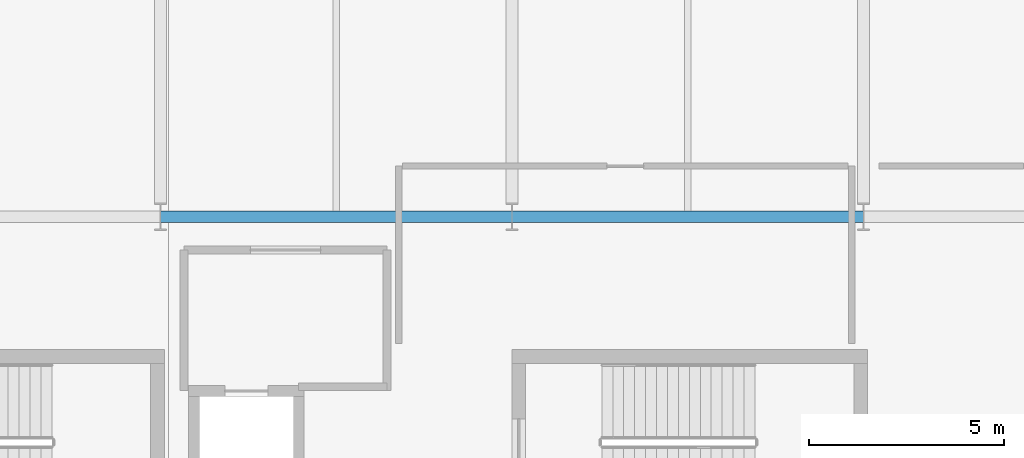
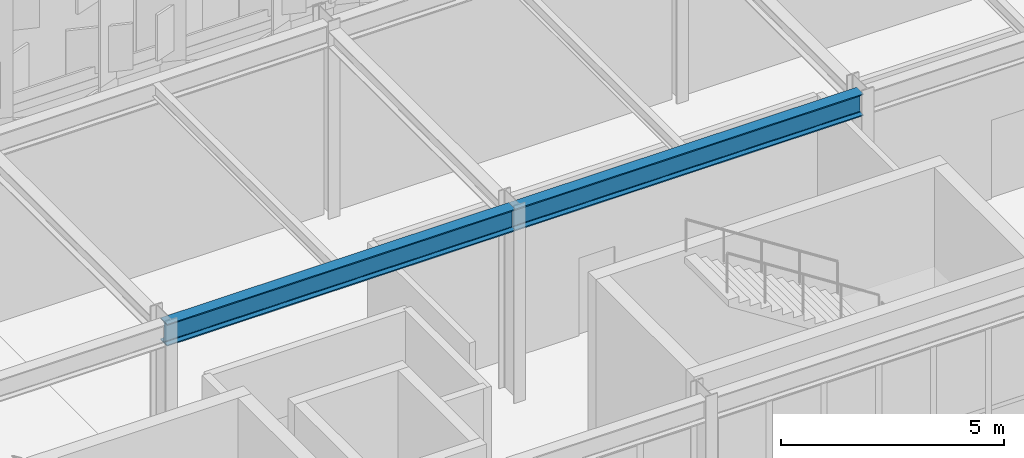
# One storey, part 60 of 210: 2 beams.
"""IFC4 building model written with IfcOpenShell, lengths in metres."""

from ifc_helpers import new_model, si_unit, direction, frame, origin, origin_2d, place, context, subcontext, project, spatial, i_section, extrude, material, material_profile, profile_set, type_object, element, save


model = new_model("IFC4")

# Units and contexts
model_context = context("Model", 3, precision=1e-05, world=origin(), true_north=direction((0.0, 1.0)))
body_context = subcontext(model_context, "Body", "Model", "MODEL_VIEW")
ifc_project = project(units=[si_unit("LENGTHUNIT", "METRE"), si_unit("AREAUNIT", "SQUARE_METRE"), si_unit("VOLUMEUNIT", "CUBIC_METRE"), si_unit("PLANEANGLEUNIT", "RADIAN"), si_unit("MASSUNIT", "GRAM", prefix="KILO")], contexts=[model_context])

# Site, building, storey
site_placement = place(None, origin())
site = spatial("IfcSite", under=ifc_project, at=site_placement, CompositionType="ELEMENT")
building_placement = place(site_placement, origin())
building = spatial("IfcBuilding", under=site, at=building_placement, Name="Kaldris Quays Convention Centre", CompositionType="ELEMENT")
storey_placement = place(building_placement, frame((0.0, 0.0, 6.0)))
storey = spatial("IfcBuildingStorey", under=building, at=storey_placement, Name="L01", CompositionType="ELEMENT", Elevation=6.0)

# Beams
ifc_material = material(Name="Steel S355J2", Category="steel")
ifc_material_profile = material_profile(ifc_material, i_section(OverallWidth=0.300048828125, OverallDepth=0.60009765625, WebThickness=0.015380859375, FlangeThickness=0.030029296875, FilletRadius=0.027099609375, at=origin_2d()), Name="HEB 600")
ifc_profile_set = profile_set([ifc_material_profile], Name="Steel S355J2")
beam_type = type_object("IfcBeamType", Name="STRUCTURAL BEAM BM05", PredefinedType="BEAM", material=ifc_profile_set)
for number, where, z_axis, x_axis, name in (
    (1, (101.00244140625, 46.60009765625, 4.843017578125), (1.0, 0.0, 0.0), (0.0, 1.0, 0.0), "L01 Girder BM05 12"),
    (2, (110.00244140625, 46.60009765625, 4.843017578125), (1.0, 0.0, 0.0), (0.0, 1.0, 0.0), "L01 Girder BM05 13"),
):
    element("IfcBeam", number, at=place(storey_placement, frame(where, z_axis=z_axis, x_axis=x_axis)), inside=storey, type_object=beam_type, Name=name, PredefinedType="BEAM", context=body_context, shape_type="SweptSolid", body=[
        extrude(i_section(OverallWidth=0.300048828125, OverallDepth=0.60009765625, WebThickness=0.015380859375, FlangeThickness=0.030029296875, FilletRadius=0.027099609375, at=origin_2d()), origin(), (0.0, 0.0, 1.0), 8.9951171875),
    ])

save(model, "model.ifc")
